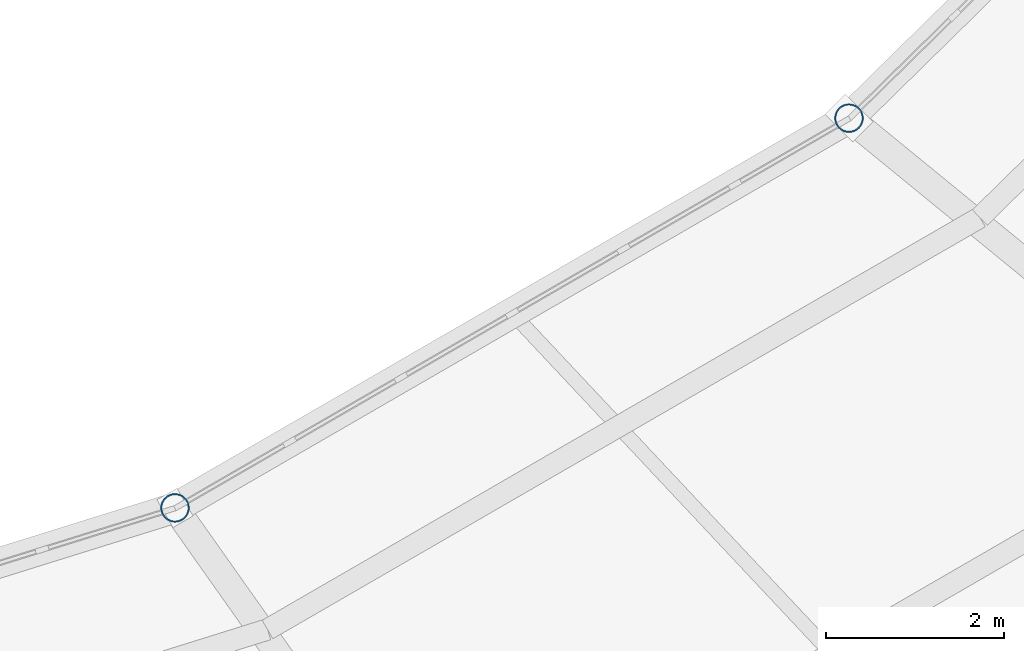
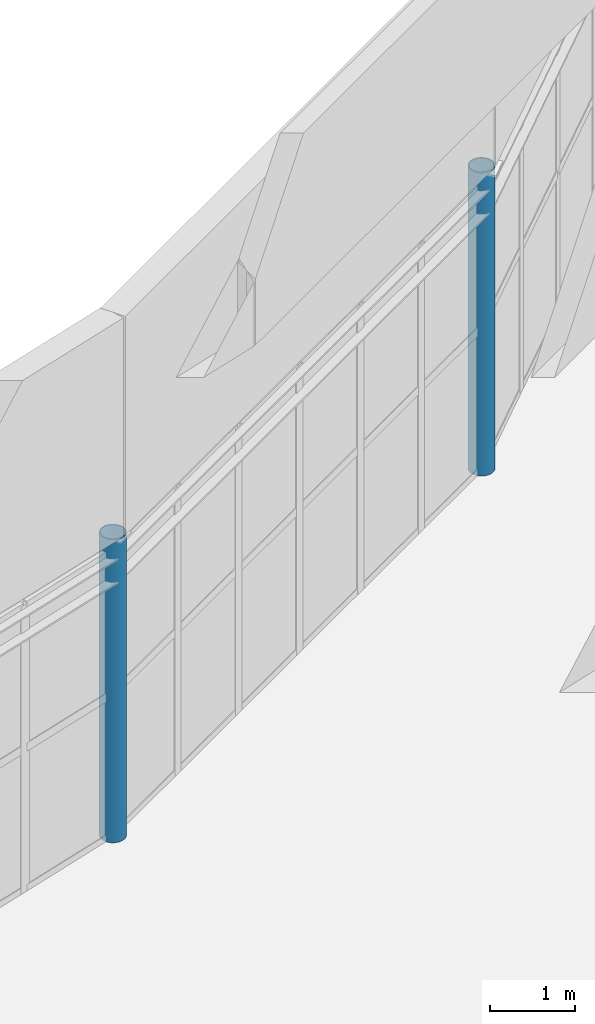
# One storey, part 12 of 123: 2 columns.
"""IFC4 building model written with IfcOpenShell, lengths in metres."""

from ifc_helpers import new_model, si_unit, direction, frame, origin, origin_2d, place, context, subcontext, project, spatial, hollow_circle, extrude, material, material_profile, profile_set, type_object, element, save


model = new_model("IFC4")

# Units and contexts
model_context = context("Model", 3, precision=1e-05, world=origin(), true_north=direction((0.0, 1.0)))
body_context = subcontext(model_context, "Body", "Model", "MODEL_VIEW")
ifc_project = project(units=[si_unit("LENGTHUNIT", "METRE"), si_unit("AREAUNIT", "SQUARE_METRE"), si_unit("VOLUMEUNIT", "CUBIC_METRE"), si_unit("PLANEANGLEUNIT", "RADIAN"), si_unit("MASSUNIT", "GRAM", prefix="KILO")], contexts=[model_context])

# Site, building, storey
site_placement = place(None, origin())
site = spatial("IfcSite", under=ifc_project, at=site_placement, CompositionType="ELEMENT")
building_placement = place(site_placement, origin())
building = spatial("IfcBuilding", under=site, at=building_placement, Name="Kildeholm Park Wholesale Market", CompositionType="ELEMENT")
storey_placement = place(building_placement, frame((0.0, 0.0, 9.60009765625)))
storey = spatial("IfcBuildingStorey", under=building, at=storey_placement, Name="L02", CompositionType="ELEMENT", Elevation=9.60009765625)

# Columns
ifc_material = material(Name="Steel S355", Category="steel")
ifc_material_profile = material_profile(ifc_material, hollow_circle(Radius=0.161865234375, WallThickness=0.01611328125, at=origin_2d()), Name="CHS 323.9x16")
ifc_profile_set = profile_set([ifc_material_profile], Name="Steel S355")
column_type = type_object("IfcColumnType", Name="Column C-S09 CHS 323.9x16", PredefinedType="COLUMN", material=ifc_profile_set)
for number, where, z_axis, x_axis, name in (
    (1, (117.25, 65.68408203125, 0.0), (0.0, 0.0, 1.0), (0.5, -0.866025403784, 0.0), "Column V1-IN-20 L02 COL-0183"),
    (2, (124.80908203125, 70.054931640625, 0.0), (0.0, 0.0, 1.0), (0.707106781187, -0.707106781187, 0.0), "Column V1-IN-21 L02 COL-0192"),
):
    element("IfcColumn", number, at=place(storey_placement, frame(where, z_axis=z_axis, x_axis=x_axis)), inside=storey, type_object=column_type, Name=name, PredefinedType="COLUMN", context=body_context, shape_type="SweptSolid", body=[
        extrude(hollow_circle(Radius=0.161865234375, WallThickness=0.01611328125, at=origin_2d()), origin(), (0.0, 0.0, 1.0), 4.3798828125),
    ])

save(model, "model.ifc")
